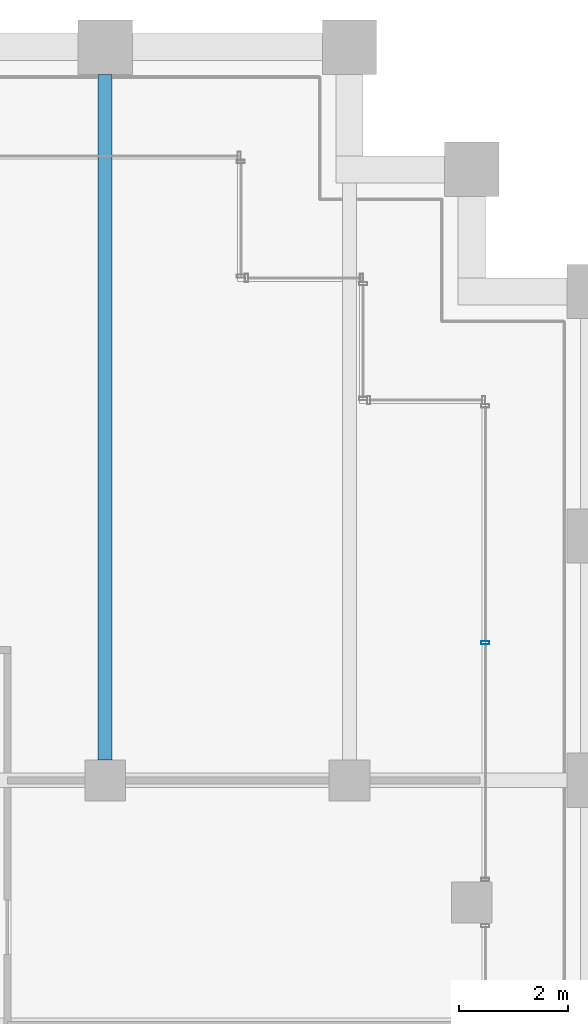
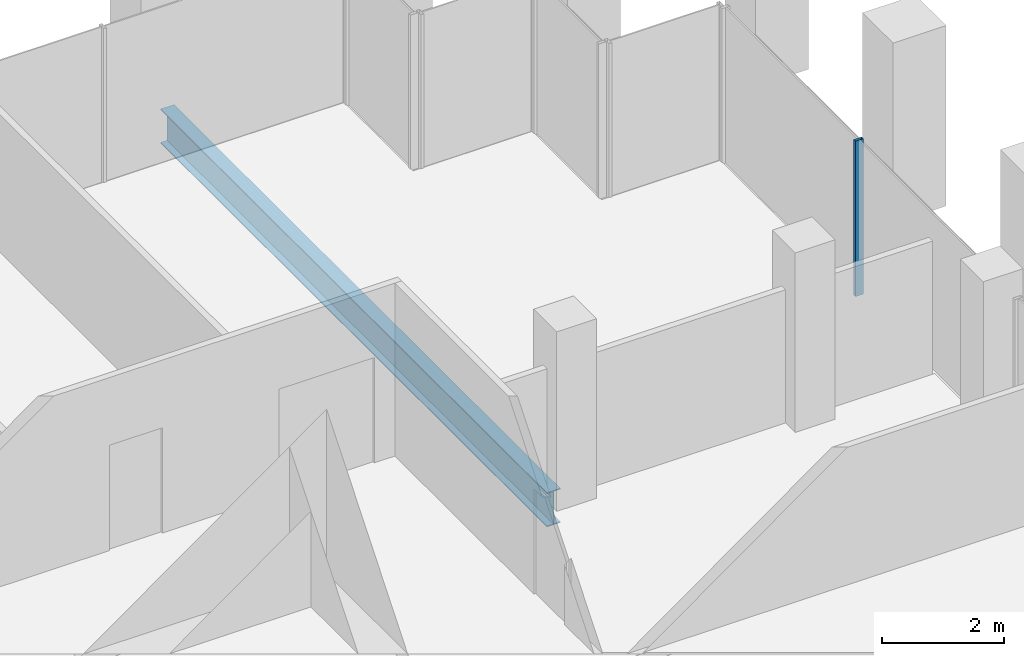
# One storey, part 24 of 47: 1 beam, 1 member, 1 element without a shape of its own.
"""IFC4 building model written with IfcOpenShell, lengths in metres."""

from ifc_helpers import new_model, si_unit, direction, frame, origin, origin_2d, place, context, subcontext, project, spatial, hollow_rectangle, i_section, extrude, material, material_profile, profile_set, type_object, element, aggregate, save


model = new_model("IFC4")

# Units and contexts
model_context = context("Model", 3, precision=1e-05, world=origin(), true_north=direction((0.0, 1.0)))
body_context = subcontext(model_context, "Body", "Model", "MODEL_VIEW")
ifc_project = project(units=[si_unit("LENGTHUNIT", "METRE"), si_unit("AREAUNIT", "SQUARE_METRE"), si_unit("VOLUMEUNIT", "CUBIC_METRE"), si_unit("PLANEANGLEUNIT", "RADIAN"), si_unit("MASSUNIT", "GRAM", prefix="KILO")], contexts=[model_context])

# Site, building, storey
site_placement = place(None, origin())
site = spatial("IfcSite", under=ifc_project, at=site_placement, CompositionType="ELEMENT")
building_placement = place(site_placement, origin())
building = spatial("IfcBuilding", under=site, at=building_placement, Name="Altepetl Exchange Towers", CompositionType="ELEMENT")
storey_placement = place(building_placement, frame((0.0, 0.0, 99.199951171875)))
storey = spatial("IfcBuildingStorey", under=building, at=storey_placement, Name="L24", CompositionType="ELEMENT", Elevation=99.199951171875)

# Beam
ifc_material_1 = material(Name="Steel S355", Category="steel")
ifc_material_profile_1 = material_profile(ifc_material_1, i_section(OverallWidth=0.25390625, OverallDepth=0.68408203125, WebThickness=0.012451171875, FlangeThickness=0.018798828125, at=origin_2d()), Name="W27X94")
ifc_profile_set_1 = profile_set([ifc_material_profile_1], Name="Steel S355")
beam_type = type_object("IfcBeamType", Name="Floor beam W27X94", PredefinedType="BEAM", material=ifc_profile_set_1)
beam_placement = place(storey_placement, frame((63.0, 58.875, -0.491943359375), z_axis=(0.0, 1.0, 0.0), x_axis=(-1.0, 0.0, 0.0)))
element("IfcBeam", 1, at=beam_placement, inside=storey, type_object=beam_type, Name="bm:A:L24:004", PredefinedType="BEAM", context=body_context, shape_type="SweptSolid", body=[
    extrude(i_section(OverallWidth=0.25390625, OverallDepth=0.68408203125, WebThickness=0.012451171875, FlangeThickness=0.018798828125, at=origin_2d()), origin(), (0.0, 0.0, 1.0), 12.625),
])

# Curtain wall, member
ifc_material_2 = material(Name="Aluminium 6063-T6 glazing", Category="aluminium")
curtain_wall_type = type_object("IfcCurtainWallType", Name="Loggia glazing system", PredefinedType="NOTDEFINED", material=ifc_material_2)
curtain_wall_placement = place(storey_placement, origin())
curtain_wall = element("IfcCurtainWall", 2, at=curtain_wall_placement, inside=storey, type_object=curtain_wall_type, Name="CW1 run", PredefinedType="NOTDEFINED")
ifc_material_3 = material(Name="Aluminium 6063-T6", Category="aluminium")
ifc_material_profile_2 = material_profile(ifc_material_3, hollow_rectangle(XDim=0.06005859375, YDim=0.14990234375, WallThickness=0.0029296875, at=origin_2d()), Name="Mullion 60x150 aluminium")
ifc_profile_set_2 = profile_set([ifc_material_profile_2], Name="Aluminium 6063-T6")
member_type = type_object("IfcMemberType", Name="Mullion 60x150 aluminium", PredefinedType="MULLION", material=ifc_profile_set_2)
member_placement = place(storey_placement, frame((70.0, 61.034912109375, 0.0), z_axis=(0.0, 0.0, 1.0), x_axis=(0.0, 1.0, 0.0)))
member = element("IfcMember", 3, at=member_placement, type_object=member_type, Name="MU1 mullion", PredefinedType="MULLION", context=body_context, shape_type="SweptSolid", body=[
    extrude(hollow_rectangle(XDim=0.06005859375, YDim=0.14990234375, WallThickness=0.0029296875, at=origin_2d()), origin(), (0.0, 0.0, 1.0), 3.10009765625),
])
aggregate(curtain_wall, [member])

save(model, "model.ifc")
